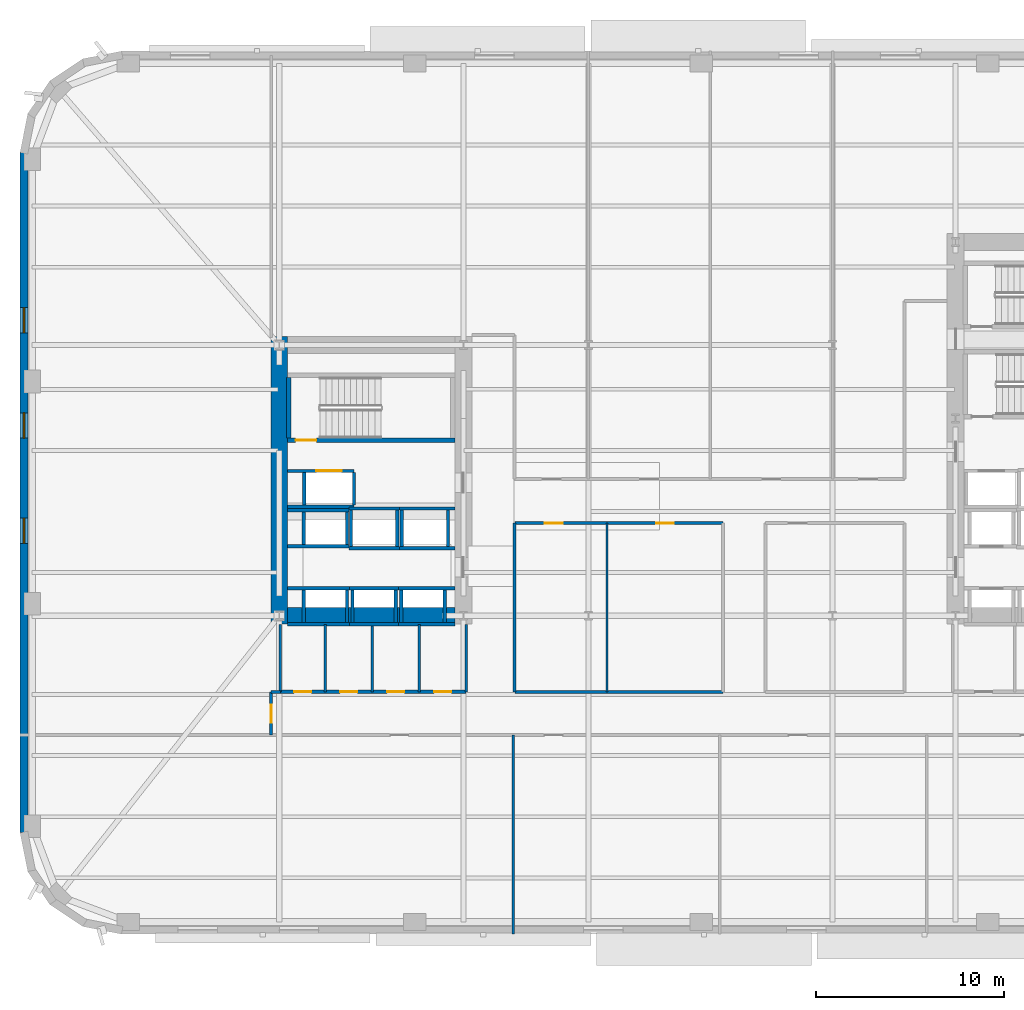
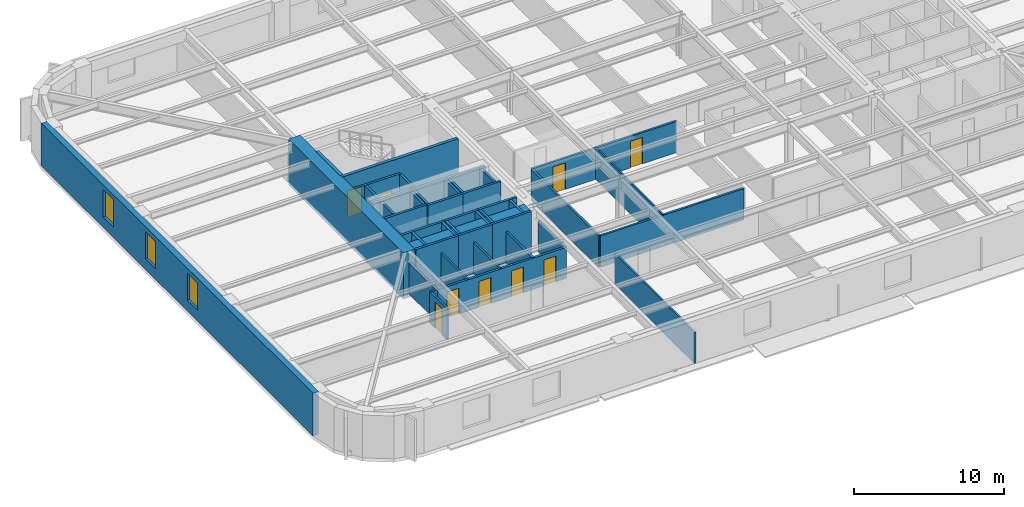
# One storey, part 4 of 15: 46 walls, 9 doors, 3 windows, 12 openings.
"""IFC4 building model written with IfcOpenShell, lengths in metres."""

from ifc_helpers import new_model, si_unit, direction, frame, frame_2d, origin, place, context, subcontext, project, spatial, rectangle, extrude, material, layer, layer_set, type_object, element, fill, save


model = new_model("IFC4")

# Units and contexts
model_context = context("Model", 3, precision=1e-05, world=origin(), true_north=direction((0.0, 1.0)))
body_context = subcontext(model_context, "Body", "Model", "MODEL_VIEW")
ifc_project = project(units=[si_unit("LENGTHUNIT", "METRE"), si_unit("AREAUNIT", "SQUARE_METRE"), si_unit("VOLUMEUNIT", "CUBIC_METRE"), si_unit("PLANEANGLEUNIT", "RADIAN"), si_unit("MASSUNIT", "GRAM", prefix="KILO")], contexts=[model_context])

# Site, building, storey
site_placement = place(None, origin())
site = spatial("IfcSite", under=ifc_project, at=site_placement, CompositionType="ELEMENT")
building_placement = place(site_placement, origin())
building = spatial("IfcBuilding", under=site, at=building_placement, Name="Kolvaren Arena Tower", CompositionType="ELEMENT")
storey_placement = place(building_placement, frame((0.0, 0.0, 83.25)))
storey = spatial("IfcBuildingStorey", under=building, at=storey_placement, Name="L18", CompositionType="ELEMENT", Elevation=83.25)

# Wall, openings, doors
ifc_material_1 = material(Name="Gypsum board acoustic assembly", Category="gypsum")
ifc_layer_1 = layer(ifc_material_1, 0.159912109375)
ifc_layer_set_1 = layer_set([ifc_layer_1], Name="Gypsum board acoustic assembly")
wall_type_1 = type_object("IfcWallType", Name="CORR-160", PredefinedType="PARTITIONING", material=ifc_layer_set_1)
wall_1_placement = place(storey_placement, frame((27.10009765625, 24.3798828125, 0.0), z_axis=(0.0, 0.0, 1.0), x_axis=(1.0, 0.0, 0.0)))
wall_1 = element("IfcWall", 1, at=wall_1_placement, inside=storey, type_object=wall_type_1, Name="Interior Partition Wall (L18)", PredefinedType="PARTITIONING", context=body_context, shape_type="SweptSolid", body=[
    extrude(rectangle(XDim=11.059814453125, YDim=0.159912109375, at=frame_2d((5.52978515625, 0.0))), origin(), (0.0, 0.0, 1.0), 2.5400390625),
])
opening_1_placement = place(wall_1_placement, frame((1.574951171875, 0.0, 0.0)))
opening_1 = element("IfcOpeningElement", 2, at=opening_1_placement, cuts=wall_1, Name="Opening D05", PredefinedType="OPENING", context=body_context, shape_type="SweptSolid", body=[
    extrude(rectangle(XDim=0.949951171875, YDim=2.14990234375, at=frame_2d((0.47509765625, 1.074951171875))), frame((0.0, 0.08984375, 0.0), z_axis=(0.0, -1.0, 0.0), x_axis=(1.0, 0.0, 0.0)), (0.0, 0.0, 1.0), 0.179931640625),
])
opening_2_placement = place(wall_1_placement, frame((7.5048828125, 0.0, 0.0)))
opening_2 = element("IfcOpeningElement", 3, at=opening_2_placement, cuts=wall_1, Name="Opening D05", PredefinedType="OPENING", context=body_context, shape_type="SweptSolid", body=[
    extrude(rectangle(XDim=0.949951171875, YDim=2.14990234375, at=frame_2d((0.47509765625, 1.074951171875))), frame((0.0, 0.08984375, 0.0), z_axis=(0.0, -1.0, 0.0), x_axis=(1.0, 0.0, 0.0)), (0.0, 0.0, 1.0), 0.179931640625),
])
ifc_material_2 = material(Name="Solid-core oak acoustic office door", Category="wood")
door_type_1 = type_object("IfcDoorType", Name="DOOR-OF-095", OperationType="NOTDEFINED", PredefinedType="DOOR", material=ifc_material_2)
door_1_placement = place(opening_1_placement, origin())
door_1 = element("IfcDoor", 4, at=door_1_placement, inside=storey, type_object=door_type_1, Name="Client Lounge Door (L18)", OperationType="SINGLE_SWING_RIGHT", OverallHeight=2.14990234375, OverallWidth=0.949951171875, PredefinedType="DOOR", context=body_context, shape_type="SweptSolid", body=[
    extrude(rectangle(XDim=0.949951171875, YDim=2.14990234375, at=frame_2d((0.47509765625, 1.074951171875))), frame((0.0, 0.02490234375, 0.0), z_axis=(0.0, -1.0, 0.0), x_axis=(1.0, 0.0, 0.0)), (0.0, 0.0, 1.0), 0.050048828125),
])
fill(opening_1, door_1)
door_2_placement = place(opening_2_placement, origin())
door_2 = element("IfcDoor", 5, at=door_2_placement, inside=storey, type_object=door_type_1, Name="Boardroom Door (L18)", OperationType="SINGLE_SWING_LEFT", OverallHeight=2.14990234375, OverallWidth=0.949951171875, PredefinedType="DOOR", context=body_context, shape_type="SweptSolid", body=[
    extrude(rectangle(XDim=0.949951171875, YDim=2.14990234375, at=frame_2d((0.47509765625, 1.074951171875))), frame((0.0, 0.02490234375, 0.0), z_axis=(0.0, -1.0, 0.0), x_axis=(1.0, 0.0, 0.0)), (0.0, 0.0, 1.0), 0.050048828125),
])
fill(opening_2, door_2)

# Walls
wall_2_placement = place(storey_placement, frame((27.10009765625, 15.3798828125, 0.0), z_axis=(0.0, 0.0, 1.0), x_axis=(1.0, 0.0, 0.0)))
element("IfcWall", 6, at=wall_2_placement, inside=storey, type_object=wall_type_1, Name="Interior Partition Wall (L18)", PredefinedType="PARTITIONING", context=body_context, shape_type="SweptSolid", body=[
    extrude(rectangle(XDim=11.059814453125, YDim=0.159912109375, at=frame_2d((5.52978515625, 0.0))), origin(), (0.0, 0.0, 1.0), 2.5400390625),
])
wall_3_placement = place(storey_placement, frame((27.080078125, 15.3798828125, 0.0), z_axis=(0.0, 0.0, 1.0), x_axis=(0.0, 1.0, 0.0)))
element("IfcWall", 7, at=wall_3_placement, inside=storey, type_object=wall_type_1, Name="Interior Partition Wall (L18)", PredefinedType="PARTITIONING", context=body_context, shape_type="SweptSolid", body=[
    extrude(rectangle(XDim=9.0, YDim=0.159912109375, at=frame_2d((4.5, 0.0))), origin(), (0.0, 0.0, 1.0), 2.5400390625),
])

# Wall, opening, door
wall_4_placement = place(storey_placement, frame((14.1201171875, 13.10009765625, 0.0), z_axis=(0.0, 0.0, 1.0), x_axis=(0.0, 1.0, 0.0)))
wall_4 = element("IfcWall", 8, at=wall_4_placement, inside=storey, type_object=wall_type_1, Name="Interior Partition Wall (L18)", PredefinedType="PARTITIONING", context=body_context, shape_type="SweptSolid", body=[
    extrude(rectangle(XDim=2.2998046875, YDim=0.159912109375, at=frame_2d((1.14990234375, 0.0))), origin(), (0.0, 0.0, 1.0), 2.5400390625),
])
opening_3_placement = place(wall_4_placement, frame((0.64990234375, 0.0, 0.0)))
opening_3 = element("IfcOpeningElement", 9, at=opening_3_placement, cuts=wall_4, Name="Opening D05", PredefinedType="OPENING", context=body_context, shape_type="SweptSolid", body=[
    extrude(rectangle(XDim=0.949951171875, YDim=2.14990234375, at=frame_2d((0.47509765625, 1.074951171875))), frame((0.0, 0.08984375, 0.0), z_axis=(0.0, -1.0, 0.0), x_axis=(1.0, 0.0, 0.0)), (0.0, 0.0, 1.0), 0.179931640625),
])
door_3_placement = place(opening_3_placement, origin())
door_3 = element("IfcDoor", 10, at=door_3_placement, inside=storey, type_object=door_type_1, Name="West Wing Office Door (L18)", OperationType="SINGLE_SWING_LEFT", OverallHeight=2.14990234375, OverallWidth=0.949951171875, PredefinedType="DOOR", context=body_context, shape_type="SweptSolid", body=[
    extrude(rectangle(XDim=0.949951171875, YDim=2.14990234375, at=frame_2d((0.47509765625, 1.074951171875))), frame((0.0, 0.02490234375, 0.0), z_axis=(0.0, -1.0, 0.0), x_axis=(1.0, 0.0, 0.0)), (0.0, 0.0, 1.0), 0.050048828125),
])
fill(opening_3, door_3)

# Walls
wall_5_placement = place(storey_placement, frame((14.1201171875, 15.39990234375, 0.0), z_axis=(0.0, 0.0, 1.0), x_axis=(1.0, 0.0, 0.0)))
element("IfcWall", 11, at=wall_5_placement, inside=storey, type_object=wall_type_1, Name="Interior Partition Wall (L18)", PredefinedType="PARTITIONING", context=body_context, shape_type="SweptSolid", body=[
    extrude(rectangle(XDim=0.5, YDim=0.159912109375, at=frame_2d((0.25, 0.0))), origin(), (0.0, 0.0, 1.0), 2.5400390625),
])
ifc_material_3 = material(Name="Concrete 80 MPa", Category="concrete")
ifc_layer_2 = layer(ifc_material_3, 0.89990234375)
ifc_layer_set_2 = layer_set([ifc_layer_2], Name="Concrete 80 MPa")
wall_type_2 = type_object("IfcWallType", Name="CWALL-900", PredefinedType="SHEAR", material=ifc_layer_set_2)
wall_6_placement = place(storey_placement, frame((14.550048828125, 19.0, -0.27001953125), z_axis=(0.0, 0.0, 1.0), x_axis=(0.0, 1.0, 0.0)))
element("IfcWall", 12, at=wall_6_placement, inside=storey, type_object=wall_type_2, Name="Core Shear Wall WC-WEST (L18)", PredefinedType="SHEAR", context=body_context, shape_type="SweptSolid", body=[
    extrude(rectangle(XDim=15.300048828125, YDim=0.89990234375, at=frame_2d((7.64990234375, 0.0))), origin(), (0.0, 0.0, 1.0), 3.75),
])
wall_7_placement = place(storey_placement, frame((15.0, 19.449951171875, -0.27001953125), z_axis=(0.0, 0.0, 1.0), x_axis=(1.0, 0.0, 0.0)))
element("IfcWall", 13, at=wall_7_placement, inside=storey, type_object=wall_type_2, Name="Core Shear Wall WC-SOUTH (L18)", PredefinedType="SHEAR", context=body_context, shape_type="SweptSolid", body=[
    extrude(rectangle(XDim=8.89990234375, YDim=0.89990234375, at=frame_2d((4.449951171875, 0.0))), origin(), (0.0, 0.0, 1.0), 3.75),
])

# Wall, openings, windows
ifc_material_4 = material(Name="Precast concrete C50/60", Category="concrete")
ifc_layer_3 = layer(ifc_material_4, 0.419921875)
ifc_layer_set_3 = layer_set([ifc_layer_3], Name="Precast concrete C50/60")
wall_type_3 = type_object("IfcWallType", Name="EXT-PIER1", PredefinedType="SOLIDWALL", material=ifc_layer_set_3)
wall_8_placement = place(storey_placement, frame((0.9599609375, 7.89990234375, 0.0), z_axis=(0.0, 0.0, 1.0), x_axis=(0.0, 1.0, 0.0)))
wall_8 = element("IfcWall", 14, at=wall_8_placement, inside=storey, type_object=wall_type_3, Name="Exterior Precast Masonry-Frame Wall (L18)", PredefinedType="SOLIDWALL", context=body_context, shape_type="SweptSolid", body=[
    extrude(rectangle(XDim=36.2001953125, YDim=0.419921875, at=frame_2d((18.10009765625, 0.0))), origin(), (0.0, 0.0, 1.0), 3.47998046875),
])
opening_4_placement = place(wall_8_placement, frame((15.39990234375, 0.0, 0.8798828125)))
opening_4 = element("IfcOpeningElement", 15, at=opening_4_placement, cuts=wall_8, Name="Opening W04", PredefinedType="OPENING", context=body_context, shape_type="SweptSolid", body=[
    extrude(rectangle(XDim=1.35009765625, YDim=2.199951171875, at=frame_2d((0.675048828125, 1.10009765625))), frame((0.0, 0.219970703125, 0.0), z_axis=(0.0, -1.0, 0.0), x_axis=(1.0, 0.0, 0.0)), (0.0, 0.0, 1.0), 0.43994140625),
])
opening_5_placement = place(wall_8_placement, frame((21.0, 0.0, 0.8798828125)))
opening_5 = element("IfcOpeningElement", 16, at=opening_5_placement, cuts=wall_8, Name="Opening W04", PredefinedType="OPENING", context=body_context, shape_type="SweptSolid", body=[
    extrude(rectangle(XDim=1.35009765625, YDim=2.199951171875, at=frame_2d((0.675048828125, 1.10009765625))), frame((0.0, 0.219970703125, 0.0), z_axis=(0.0, -1.0, 0.0), x_axis=(1.0, 0.0, 0.0)), (0.0, 0.0, 1.0), 0.43994140625),
])
opening_6_placement = place(wall_8_placement, frame((26.60009765625, 0.0, 0.8798828125)))
opening_6 = element("IfcOpeningElement", 17, at=opening_6_placement, cuts=wall_8, Name="Opening W04", PredefinedType="OPENING", context=body_context, shape_type="SweptSolid", body=[
    extrude(rectangle(XDim=1.35009765625, YDim=2.199951171875, at=frame_2d((0.675048828125, 1.10009765625))), frame((0.0, 0.219970703125, 0.0), z_axis=(0.0, -1.0, 0.0), x_axis=(1.0, 0.0, 0.0)), (0.0, 0.0, 1.0), 0.43994140625),
])
ifc_material_5 = material(Name="Triple-glazed curved-facet corner window", Category="glass")
window_type = type_object("IfcWindowType", Name="WIN-CRN-A", PartitioningType="SINGLE_PANEL", PredefinedType="WINDOW", material=ifc_material_5)
window_1_placement = place(opening_4_placement, origin())
window_1 = element("IfcWindow", 18, at=window_1_placement, inside=storey, type_object=window_type, Name="End-Wall Punched Window (L18)", OverallHeight=2.199951171875, OverallWidth=1.35009765625, PartitioningType="SINGLE_PANEL", PredefinedType="WINDOW", context=body_context, shape_type="SweptSolid", body=[
    extrude(rectangle(XDim=1.35009765625, YDim=2.199951171875, at=frame_2d((0.675048828125, 1.10009765625))), frame((0.0, 0.030029296875, 0.0), z_axis=(0.0, -1.0, 0.0), x_axis=(1.0, 0.0, 0.0)), (0.0, 0.0, 1.0), 0.06005859375),
])
fill(opening_4, window_1)
window_2_placement = place(opening_5_placement, origin())
window_2 = element("IfcWindow", 19, at=window_2_placement, inside=storey, type_object=window_type, Name="End-Wall Punched Window (L18)", OverallHeight=2.199951171875, OverallWidth=1.35009765625, PartitioningType="SINGLE_PANEL", PredefinedType="WINDOW", context=body_context, shape_type="SweptSolid", body=[
    extrude(rectangle(XDim=1.35009765625, YDim=2.199951171875, at=frame_2d((0.675048828125, 1.10009765625))), frame((0.0, 0.030029296875, 0.0), z_axis=(0.0, -1.0, 0.0), x_axis=(1.0, 0.0, 0.0)), (0.0, 0.0, 1.0), 0.06005859375),
])
fill(opening_5, window_2)
window_3_placement = place(opening_6_placement, origin())
window_3 = element("IfcWindow", 20, at=window_3_placement, inside=storey, type_object=window_type, Name="End-Wall Punched Window (L18)", OverallHeight=2.199951171875, OverallWidth=1.35009765625, PartitioningType="SINGLE_PANEL", PredefinedType="WINDOW", context=body_context, shape_type="SweptSolid", body=[
    extrude(rectangle(XDim=1.35009765625, YDim=2.199951171875, at=frame_2d((0.675048828125, 1.10009765625))), frame((0.0, 0.030029296875, 0.0), z_axis=(0.0, -1.0, 0.0), x_axis=(1.0, 0.0, 0.0)), (0.0, 0.0, 1.0), 0.06005859375),
])
fill(opening_6, window_3)

# Walls
ifc_material_6 = material(Name="Gypsum board partition assembly", Category="gypsum")
ifc_layer_4 = layer(ifc_material_6, 0.114990234375)
ifc_layer_set_4 = layer_set([ifc_layer_4], Name="Gypsum board partition assembly")
wall_type_4 = type_object("IfcWallType", Name="PART-115", PredefinedType="PARTITIONING", material=ifc_layer_set_4)
wall_9_placement = place(storey_placement, frame((32.0, 15.3798828125, 0.0), z_axis=(0.0, 0.0, 1.0), x_axis=(0.0, 1.0, 0.0)))
element("IfcWall", 21, at=wall_9_placement, inside=storey, type_object=wall_type_4, Name="Interior Partition Wall (L18)", PredefinedType="PARTITIONING", context=body_context, shape_type="SweptSolid", body=[
    extrude(rectangle(XDim=9.0, YDim=0.114990234375, at=frame_2d((4.5, 0.0))), origin(), (0.0, 0.0, 1.0), 2.5400390625),
])
ifc_layer_5 = layer(ifc_material_6, 0.135009765625)
ifc_layer_set_5 = layer_set([ifc_layer_5], Name="Gypsum board partition assembly")
wall_type_5 = type_object("IfcWallType", Name="PART-135", PredefinedType="PARTITIONING", material=ifc_layer_set_5)
wall_10_placement = place(storey_placement, frame((27.0, 2.5, 0.0), z_axis=(0.0, 0.0, 1.0), x_axis=(0.0, 1.0, 0.0)))
element("IfcWall", 22, at=wall_10_placement, inside=storey, type_object=wall_type_5, Name="Interior Partition Wall (L18)", PredefinedType="PARTITIONING", context=body_context, shape_type="SweptSolid", body=[
    extrude(rectangle(XDim=10.60009765625, YDim=0.135009765625, at=frame_2d((5.300048828125, 0.0))), origin(), (0.0, 0.0, 1.0), 2.5400390625),
])

# Wall, opening, door
ifc_material_7 = material(Name="Concrete 45 MPa", Category="concrete")
ifc_layer_6 = layer(ifc_material_7, 0.25)
ifc_layer_set_6 = layer_set([ifc_layer_6], Name="Concrete 45 MPa")
wall_type_6 = type_object("IfcWallType", Name="SHAFT-250", PredefinedType="SOLIDWALL", material=ifc_layer_set_6)
wall_11_placement = place(storey_placement, frame((23.89990234375, 28.780029296875, 0.0), z_axis=(0.0, 0.0, 1.0), x_axis=(-1.0, 0.0, 0.0)))
wall_11 = element("IfcWall", 23, at=wall_11_placement, inside=storey, type_object=wall_type_6, Name="Core Shaft Wall (L18)", PredefinedType="SOLIDWALL", context=body_context, shape_type="SweptSolid", body=[
    extrude(rectangle(XDim=8.89990234375, YDim=0.239990234375, at=frame_2d((4.449951171875, 0.0))), origin(), (0.0, 0.0, 1.0), 3.47998046875),
])
opening_7_placement = place(wall_11_placement, frame((7.3798828125, 0.0, 0.0)))
opening_7 = element("IfcOpeningElement", 24, at=opening_7_placement, cuts=wall_11, Name="Opening D03", PredefinedType="OPENING", context=body_context, shape_type="SweptSolid", body=[
    extrude(rectangle(XDim=1.10009765625, YDim=2.14990234375, at=frame_2d((0.550048828125, 1.074951171875))), frame((0.0, 0.1298828125, 0.0), z_axis=(0.0, -1.0, 0.0), x_axis=(1.0, 0.0, 0.0)), (0.0, 0.0, 1.0), 0.260009765625),
])
ifc_material_8 = material(Name="Fire-rated steel exit stair door", Category="steel")
door_type_2 = type_object("IfcDoorType", Name="DOOR-ST-110", OperationType="NOTDEFINED", PredefinedType="DOOR", material=ifc_material_8)
door_4_placement = place(opening_7_placement, origin())
door_4 = element("IfcDoor", 25, at=door_4_placement, inside=storey, type_object=door_type_2, Name="Stair ST-W1 Fire Door (L18)", OperationType="SINGLE_SWING_RIGHT", OverallHeight=2.14990234375, OverallWidth=1.10009765625, PredefinedType="DOOR", context=body_context, shape_type="SweptSolid", body=[
    extrude(rectangle(XDim=1.10009765625, YDim=2.14990234375, at=frame_2d((0.550048828125, 1.074951171875))), frame((0.0, 0.02490234375, 0.0), z_axis=(0.0, -1.0, 0.0), x_axis=(1.0, 0.0, 0.0)), (0.0, 0.0, 1.0), 0.050048828125),
])
fill(opening_7, door_4)

# Walls
wall_12_placement = place(storey_placement, frame((15.06005859375, 28.89990234375, 0.0), z_axis=(0.0, 0.0, 1.0), x_axis=(0.0, 1.0, 0.0)))
element("IfcWall", 26, at=wall_12_placement, inside=storey, type_object=wall_type_6, Name="Core Shaft Wall (L18)", PredefinedType="SOLIDWALL", context=body_context, shape_type="SweptSolid", body=[
    extrude(rectangle(XDim=3.22998046875, YDim=0.239990234375, at=frame_2d((1.614990234375, 0.0))), origin(), (0.0, 0.0, 1.0), 3.47998046875),
])
for number, where, z_axis, x_axis, name in (
    (27, (15.0, 20.905029296875, 0.0), (0.0, 0.0, 1.0), (1.0, 0.0, 0.0), "Core Shaft Wall (L18)"),
    (28, (15.0, 18.9951171875, 0.0), (0.0, 0.0, 1.0), (1.0, 0.0, 0.0), "Core Shaft Wall (L18)"),
):
    element("IfcWall", number, at=place(storey_placement, frame(where, z_axis=z_axis, x_axis=x_axis)), inside=storey, type_object=wall_type_6, Name=name, PredefinedType="SOLIDWALL", context=body_context, shape_type="SweptSolid", body=[
        extrude(rectangle(XDim=3.300048828125, YDim=0.179931640625, at=frame_2d((1.64990234375, 0.0))), origin(), (0.0, 0.0, 1.0), 3.47998046875),
    ])
for number, where, z_axis, x_axis, name in (
    (29, (15.844970703125, 19.0849609375, 0.0), (0.0, 0.0, 1.0), (0.0, 1.0, 0.0), "Core Shaft Wall (L18)"),
    (30, (18.155029296875, 19.0849609375, 0.0), (0.0, 0.0, 1.0), (0.0, 1.0, 0.0), "Core Shaft Wall (L18)"),
):
    element("IfcWall", number, at=place(storey_placement, frame(where, z_axis=z_axis, x_axis=x_axis)), inside=storey, type_object=wall_type_6, Name=name, PredefinedType="SOLIDWALL", context=body_context, shape_type="SweptSolid", body=[
        extrude(rectangle(XDim=1.72998046875, YDim=0.179931640625, at=frame_2d((0.864990234375, 0.0))), origin(), (0.0, 0.0, 1.0), 3.47998046875),
    ])
for number, where, z_axis, x_axis, name in (
    (31, (18.300048828125, 20.905029296875, 0.0), (0.0, 0.0, 1.0), (1.0, 0.0, 0.0), "Core Shaft Wall (L18)"),
    (32, (18.300048828125, 18.9951171875, 0.0), (0.0, 0.0, 1.0), (1.0, 0.0, 0.0), "Core Shaft Wall (L18)"),
):
    element("IfcWall", number, at=place(storey_placement, frame(where, z_axis=z_axis, x_axis=x_axis)), inside=storey, type_object=wall_type_6, Name=name, PredefinedType="SOLIDWALL", context=body_context, shape_type="SweptSolid", body=[
        extrude(rectangle(XDim=2.599853515625, YDim=0.179931640625, at=frame_2d((1.2998046875, 0.0))), origin(), (0.0, 0.0, 1.0), 3.47998046875),
    ])
for number, where, z_axis, x_axis, name in (
    (33, (18.445068359375, 19.0849609375, 0.0), (0.0, 0.0, 1.0), (0.0, 1.0, 0.0), "Core Shaft Wall (L18)"),
    (34, (20.7548828125, 19.0849609375, 0.0), (0.0, 0.0, 1.0), (0.0, 1.0, 0.0), "Core Shaft Wall (L18)"),
):
    element("IfcWall", number, at=place(storey_placement, frame(where, z_axis=z_axis, x_axis=x_axis)), inside=storey, type_object=wall_type_6, Name=name, PredefinedType="SOLIDWALL", context=body_context, shape_type="SweptSolid", body=[
        extrude(rectangle(XDim=1.72998046875, YDim=0.179931640625, at=frame_2d((0.864990234375, 0.0))), origin(), (0.0, 0.0, 1.0), 3.47998046875),
    ])
for number, where, z_axis, x_axis, name in (
    (35, (20.89990234375, 20.905029296875, 0.0), (0.0, 0.0, 1.0), (1.0, 0.0, 0.0), "Core Shaft Wall (L18)"),
    (36, (20.89990234375, 18.9951171875, 0.0), (0.0, 0.0, 1.0), (1.0, 0.0, 0.0), "Core Shaft Wall (L18)"),
):
    element("IfcWall", number, at=place(storey_placement, frame(where, z_axis=z_axis, x_axis=x_axis)), inside=storey, type_object=wall_type_6, Name=name, PredefinedType="SOLIDWALL", context=body_context, shape_type="SweptSolid", body=[
        extrude(rectangle(XDim=3.0, YDim=0.179931640625, at=frame_2d((1.5, 0.0))), origin(), (0.0, 0.0, 1.0), 3.47998046875),
    ])
for number, where, z_axis, x_axis, name in (
    (37, (21.044921875, 19.0849609375, 0.0), (0.0, 0.0, 1.0), (0.0, 1.0, 0.0), "Core Shaft Wall (L18)"),
    (38, (23.35498046875, 19.0849609375, 0.0), (0.0, 0.0, 1.0), (0.0, 1.0, 0.0), "Core Shaft Wall (L18)"),
):
    element("IfcWall", number, at=place(storey_placement, frame(where, z_axis=z_axis, x_axis=x_axis)), inside=storey, type_object=wall_type_6, Name=name, PredefinedType="SOLIDWALL", context=body_context, shape_type="SweptSolid", body=[
        extrude(rectangle(XDim=1.72998046875, YDim=0.179931640625, at=frame_2d((0.864990234375, 0.0))), origin(), (0.0, 0.0, 1.0), 3.47998046875),
    ])
for number, where, z_axis, x_axis, name in (
    (39, (15.0, 25.054931640625, 0.0), (0.0, 0.0, 1.0), (1.0, 0.0, 0.0), "Core Shaft Wall (L18)"),
    (40, (15.0, 23.14501953125, 0.0), (0.0, 0.0, 1.0), (1.0, 0.0, 0.0), "Core Shaft Wall (L18)"),
):
    element("IfcWall", number, at=place(storey_placement, frame(where, z_axis=z_axis, x_axis=x_axis)), inside=storey, type_object=wall_type_6, Name=name, PredefinedType="SOLIDWALL", context=body_context, shape_type="SweptSolid", body=[
        extrude(rectangle(XDim=3.262451171875, YDim=0.179931640625, at=frame_2d((1.63134765625, 0.0))), origin(), (0.0, 0.0, 1.0), 3.47998046875),
    ])
for number, where, z_axis, x_axis, name in (
    (41, (15.844970703125, 23.235107421875, 0.0), (0.0, 0.0, 1.0), (0.0, 1.0, 0.0), "Core Shaft Wall (L18)"),
    (42, (18.155029296875, 23.235107421875, 0.0), (0.0, 0.0, 1.0), (0.0, 1.0, 0.0), "Core Shaft Wall (L18)"),
):
    element("IfcWall", number, at=place(storey_placement, frame(where, z_axis=z_axis, x_axis=x_axis)), inside=storey, type_object=wall_type_6, Name=name, PredefinedType="SOLIDWALL", context=body_context, shape_type="SweptSolid", body=[
        extrude(rectangle(XDim=1.72998046875, YDim=0.179931640625, at=frame_2d((0.864990234375, 0.0))), origin(), (0.0, 0.0, 1.0), 3.47998046875),
    ])
for number, where, z_axis, x_axis, name in (
    (43, (18.262451171875, 25.155029296875, 0.0), (0.0, 0.0, 1.0), (1.0, 0.0, 0.0), "Core Shaft Wall (L18)"),
    (44, (18.262451171875, 23.044921875, 0.0), (0.0, 0.0, 1.0), (1.0, 0.0, 0.0), "Core Shaft Wall (L18)"),
):
    element("IfcWall", number, at=place(storey_placement, frame(where, z_axis=z_axis, x_axis=x_axis)), inside=storey, type_object=wall_type_6, Name=name, PredefinedType="SOLIDWALL", context=body_context, shape_type="SweptSolid", body=[
        extrude(rectangle(XDim=2.6875, YDim=0.179931640625, at=frame_2d((1.34375, 0.0))), origin(), (0.0, 0.0, 1.0), 3.47998046875),
    ])
for number, where, z_axis, x_axis, name in (
    (45, (18.3701171875, 23.135009765625, 0.0), (0.0, 0.0, 1.0), (0.0, 1.0, 0.0), "Core Shaft Wall (L18)"),
    (46, (20.830078125, 23.135009765625, 0.0), (0.0, 0.0, 1.0), (0.0, 1.0, 0.0), "Core Shaft Wall (L18)"),
):
    element("IfcWall", number, at=place(storey_placement, frame(where, z_axis=z_axis, x_axis=x_axis)), inside=storey, type_object=wall_type_6, Name=name, PredefinedType="SOLIDWALL", context=body_context, shape_type="SweptSolid", body=[
        extrude(rectangle(XDim=1.929931640625, YDim=0.179931640625, at=frame_2d((0.96484375, 0.0))), origin(), (0.0, 0.0, 1.0), 3.47998046875),
    ])
for number, where, z_axis, x_axis, name in (
    (47, (20.949951171875, 25.155029296875, 0.0), (0.0, 0.0, 1.0), (1.0, 0.0, 0.0), "Core Shaft Wall (L18)"),
    (48, (20.949951171875, 23.044921875, 0.0), (0.0, 0.0, 1.0), (1.0, 0.0, 0.0), "Core Shaft Wall (L18)"),
):
    element("IfcWall", number, at=place(storey_placement, frame(where, z_axis=z_axis, x_axis=x_axis)), inside=storey, type_object=wall_type_6, Name=name, PredefinedType="SOLIDWALL", context=body_context, shape_type="SweptSolid", body=[
        extrude(rectangle(XDim=2.949951171875, YDim=0.179931640625, at=frame_2d((1.47509765625, 0.0))), origin(), (0.0, 0.0, 1.0), 3.47998046875),
    ])
for number, where, z_axis, x_axis, name in (
    (49, (21.070068359375, 23.135009765625, 0.0), (0.0, 0.0, 1.0), (0.0, 1.0, 0.0), "Core Shaft Wall (L18)"),
    (50, (23.530029296875, 23.135009765625, 0.0), (0.0, 0.0, 1.0), (0.0, 1.0, 0.0), "Core Shaft Wall (L18)"),
):
    element("IfcWall", number, at=place(storey_placement, frame(where, z_axis=z_axis, x_axis=x_axis)), inside=storey, type_object=wall_type_6, Name=name, PredefinedType="SOLIDWALL", context=body_context, shape_type="SweptSolid", body=[
        extrude(rectangle(XDim=1.929931640625, YDim=0.179931640625, at=frame_2d((0.96484375, 0.0))), origin(), (0.0, 0.0, 1.0), 3.47998046875),
    ])

# Wall, opening, door
wall_13_placement = place(storey_placement, frame((15.0, 27.155029296875, 0.0), z_axis=(0.0, 0.0, 1.0), x_axis=(1.0, 0.0, 0.0)))
wall_13 = element("IfcWall", 51, at=wall_13_placement, inside=storey, type_object=wall_type_6, Name="Core Shaft Wall (L18)", PredefinedType="SOLIDWALL", context=body_context, shape_type="SweptSolid", body=[
    extrude(rectangle(XDim=3.530029296875, YDim=0.179931640625, at=frame_2d((1.76513671875, 0.0))), origin(), (0.0, 0.0, 1.0), 3.47998046875),
])
opening_8_placement = place(wall_13_placement, frame((1.52490234375, 0.0, 0.0)))
opening_8 = element("IfcOpeningElement", 52, at=opening_8_placement, cuts=wall_13, Name="Opening LD2", PredefinedType="OPENING", context=body_context, shape_type="SweptSolid", body=[
    extrude(rectangle(XDim=1.35009765625, YDim=2.300048828125, at=frame_2d((0.675048828125, 1.14990234375))), frame((0.0, 0.099853515625, 0.0), z_axis=(0.0, -1.0, 0.0), x_axis=(1.0, 0.0, 0.0)), (0.0, 0.0, 1.0), 0.199951171875),
])
ifc_material_9 = material(Name="Stainless steel firefighter lift landing door", Category="steel")
door_type_3 = type_object("IfcDoorType", Name="DOOR-LD-135", OperationType="DOUBLE_DOOR_SLIDING", PredefinedType="DOOR", material=ifc_material_9)
door_5_placement = place(opening_8_placement, origin())
door_5 = element("IfcDoor", 53, at=door_5_placement, inside=storey, type_object=door_type_3, Name="Firefighter Lift FF-W1 Landing Door (L18)", OperationType="DOUBLE_DOOR_SLIDING", OverallHeight=2.300048828125, OverallWidth=1.35009765625, PredefinedType="DOOR", context=body_context, shape_type="SweptSolid", body=[
    extrude(rectangle(XDim=1.35009765625, YDim=2.300048828125, at=frame_2d((0.675048828125, 1.14990234375))), frame((0.0, 0.02490234375, 0.0), z_axis=(0.0, -1.0, 0.0), x_axis=(1.0, 0.0, 0.0)), (0.0, 0.0, 1.0), 0.050048828125),
])
fill(opening_8, door_5)

# Walls
wall_14_placement = place(storey_placement, frame((15.0, 25.2451171875, 0.0), z_axis=(0.0, 0.0, 1.0), x_axis=(1.0, 0.0, 0.0)))
element("IfcWall", 54, at=wall_14_placement, inside=storey, type_object=wall_type_6, Name="Core Shaft Wall (L18)", PredefinedType="SOLIDWALL", context=body_context, shape_type="SweptSolid", body=[
    extrude(rectangle(XDim=3.530029296875, YDim=0.179931640625, at=frame_2d((1.76513671875, 0.0))), origin(), (0.0, 0.0, 1.0), 3.47998046875),
])
for number, where, z_axis, x_axis, name in (
    (55, (15.8701171875, 25.3349609375, 0.0), (0.0, 0.0, 1.0), (0.0, 1.0, 0.0), "Core Shaft Wall (L18)"),
    (56, (18.530029296875, 25.3349609375, 0.0), (0.0, 0.0, 1.0), (0.0, 1.0, 0.0), "Core Shaft Wall (L18)"),
):
    element("IfcWall", number, at=place(storey_placement, frame(where, z_axis=z_axis, x_axis=x_axis)), inside=storey, type_object=wall_type_6, Name=name, PredefinedType="SOLIDWALL", context=body_context, shape_type="SweptSolid", body=[
        extrude(rectangle(XDim=1.72998046875, YDim=0.179931640625, at=frame_2d((0.864990234375, 0.0))), origin(), (0.0, 0.0, 1.0), 3.47998046875),
    ])
ifc_material_10 = material(Name="Moisture-resistant gypsum assembly", Category="gypsum")
ifc_layer_7 = layer(ifc_material_10, 0.14990234375)
ifc_layer_set_7 = layer_set([ifc_layer_7], Name="Moisture-resistant gypsum assembly")
wall_type_7 = type_object("IfcWallType", Name="WETW-150", PredefinedType="PARTITIONING", material=ifc_layer_set_7)
for number, where, z_axis, x_axis, name in (
    (57, (17.0, 15.39990234375, 0.0), (0.0, 0.0, 1.0), (0.0, 1.0, 0.0), "Interior Partition Wall (L18)"),
    (58, (19.5, 15.39990234375, 0.0), (0.0, 0.0, 1.0), (0.0, 1.0, 0.0), "Interior Partition Wall (L18)"),
    (59, (22.0, 15.39990234375, 0.0), (0.0, 0.0, 1.0), (0.0, 1.0, 0.0), "Interior Partition Wall (L18)"),
):
    element("IfcWall", number, at=place(storey_placement, frame(where, z_axis=z_axis, x_axis=x_axis)), inside=storey, type_object=wall_type_7, Name=name, PredefinedType="PARTITIONING", context=body_context, shape_type="SweptSolid", body=[
        extrude(rectangle(XDim=3.580078125, YDim=0.14990234375, at=frame_2d((1.7900390625, 0.0))), origin(), (0.0, 0.0, 1.0), 2.5400390625),
    ])

# Wall, openings, doors
wall_15_placement = place(storey_placement, frame((14.60009765625, 15.39990234375, 0.0), z_axis=(0.0, 0.0, 1.0), x_axis=(1.0, 0.0, 0.0)))
wall_15 = element("IfcWall", 60, at=wall_15_placement, inside=storey, type_object=wall_type_7, Name="Interior Partition Wall (L18)", PredefinedType="PARTITIONING", context=body_context, shape_type="SweptSolid", body=[
    extrude(rectangle(XDim=9.89990234375, YDim=0.179931640625, at=frame_2d((4.949951171875, 0.0))), origin(), (0.0, 0.0, 1.0), 2.5400390625),
])
opening_9_placement = place(wall_15_placement, frame((0.739990234375, 0.0, 0.0)))
opening_9 = element("IfcOpeningElement", 61, at=opening_9_placement, cuts=wall_15, Name="Opening D07", PredefinedType="OPENING", context=body_context, shape_type="SweptSolid", body=[
    extrude(rectangle(XDim=0.919921875, YDim=2.10009765625, at=frame_2d((0.4599609375, 1.050048828125))), frame((0.0, 0.099853515625, 0.0), z_axis=(0.0, -1.0, 0.0), x_axis=(1.0, 0.0, 0.0)), (0.0, 0.0, 1.0), 0.199951171875),
])
opening_10_placement = place(wall_15_placement, frame((3.18994140625, 0.0, 0.0)))
opening_10 = element("IfcOpeningElement", 62, at=opening_10_placement, cuts=wall_15, Name="Opening D07", PredefinedType="OPENING", context=body_context, shape_type="SweptSolid", body=[
    extrude(rectangle(XDim=0.919921875, YDim=2.10009765625, at=frame_2d((0.4599609375, 1.050048828125))), frame((0.0, 0.099853515625, 0.0), z_axis=(0.0, -1.0, 0.0), x_axis=(1.0, 0.0, 0.0)), (0.0, 0.0, 1.0), 0.199951171875),
])
opening_11_placement = place(wall_15_placement, frame((5.68994140625, 0.0, 0.0)))
opening_11 = element("IfcOpeningElement", 63, at=opening_11_placement, cuts=wall_15, Name="Opening D07", PredefinedType="OPENING", context=body_context, shape_type="SweptSolid", body=[
    extrude(rectangle(XDim=0.919921875, YDim=2.10009765625, at=frame_2d((0.4599609375, 1.050048828125))), frame((0.0, 0.099853515625, 0.0), z_axis=(0.0, -1.0, 0.0), x_axis=(1.0, 0.0, 0.0)), (0.0, 0.0, 1.0), 0.199951171875),
])
opening_12_placement = place(wall_15_placement, frame((8.18994140625, 0.0, 0.0)))
opening_12 = element("IfcOpeningElement", 64, at=opening_12_placement, cuts=wall_15, Name="Opening D07", PredefinedType="OPENING", context=body_context, shape_type="SweptSolid", body=[
    extrude(rectangle(XDim=0.919921875, YDim=2.10009765625, at=frame_2d((0.4599609375, 1.050048828125))), frame((0.0, 0.099853515625, 0.0), z_axis=(0.0, -1.0, 0.0), x_axis=(1.0, 0.0, 0.0)), (0.0, 0.0, 1.0), 0.199951171875),
])
ifc_material_11 = material(Name="Laminate universal washroom door", Category="wood")
door_type_4 = type_object("IfcDoorType", Name="DOOR-WC-092", OperationType="NOTDEFINED", PredefinedType="DOOR", material=ifc_material_11)
door_6_placement = place(opening_9_placement, origin())
door_6 = element("IfcDoor", 65, at=door_6_placement, inside=storey, type_object=door_type_4, Name="Cleaner and Janitor Store Door (L18)", OperationType="SINGLE_SWING_RIGHT", OverallHeight=2.10009765625, OverallWidth=0.919921875, PredefinedType="DOOR", context=body_context, shape_type="SweptSolid", body=[
    extrude(rectangle(XDim=0.919921875, YDim=2.10009765625, at=frame_2d((0.4599609375, 1.050048828125))), frame((0.0, 0.02490234375, 0.0), z_axis=(0.0, -1.0, 0.0), x_axis=(1.0, 0.0, 0.0)), (0.0, 0.0, 1.0), 0.050048828125),
])
fill(opening_9, door_6)
door_7_placement = place(opening_10_placement, origin())
door_7 = element("IfcDoor", 66, at=door_7_placement, inside=storey, type_object=door_type_4, Name="Universal Barrier-Free Washroom Door (L18)", OperationType="SINGLE_SWING_LEFT", OverallHeight=2.10009765625, OverallWidth=0.919921875, PredefinedType="DOOR", context=body_context, shape_type="SweptSolid", body=[
    extrude(rectangle(XDim=0.919921875, YDim=2.10009765625, at=frame_2d((0.4599609375, 1.050048828125))), frame((0.0, 0.02490234375, 0.0), z_axis=(0.0, -1.0, 0.0), x_axis=(1.0, 0.0, 0.0)), (0.0, 0.0, 1.0), 0.050048828125),
])
fill(opening_10, door_7)
door_8_placement = place(opening_11_placement, origin())
door_8 = element("IfcDoor", 67, at=door_8_placement, inside=storey, type_object=door_type_4, Name="Women Restroom Door (L18)", OperationType="SINGLE_SWING_RIGHT", OverallHeight=2.10009765625, OverallWidth=0.919921875, PredefinedType="DOOR", context=body_context, shape_type="SweptSolid", body=[
    extrude(rectangle(XDim=0.919921875, YDim=2.10009765625, at=frame_2d((0.4599609375, 1.050048828125))), frame((0.0, 0.02490234375, 0.0), z_axis=(0.0, -1.0, 0.0), x_axis=(1.0, 0.0, 0.0)), (0.0, 0.0, 1.0), 0.050048828125),
])
fill(opening_11, door_8)
door_9_placement = place(opening_12_placement, origin())
door_9 = element("IfcDoor", 68, at=door_9_placement, inside=storey, type_object=door_type_4, Name="Men Restroom Door (L18)", OperationType="SINGLE_SWING_LEFT", OverallHeight=2.10009765625, OverallWidth=0.919921875, PredefinedType="DOOR", context=body_context, shape_type="SweptSolid", body=[
    extrude(rectangle(XDim=0.919921875, YDim=2.10009765625, at=frame_2d((0.4599609375, 1.050048828125))), frame((0.0, 0.02490234375, 0.0), z_axis=(0.0, -1.0, 0.0), x_axis=(1.0, 0.0, 0.0)), (0.0, 0.0, 1.0), 0.050048828125),
])
fill(opening_12, door_9)

# Walls
for number, where, z_axis, x_axis, name in (
    (69, (14.60009765625, 15.39990234375, 0.0), (0.0, 0.0, 1.0), (0.0, 1.0, 0.0), "Interior Partition Wall (L18)"),
    (70, (24.5, 15.39990234375, 0.0), (0.0, 0.0, 1.0), (0.0, 1.0, 0.0), "Interior Partition Wall (L18)"),
):
    element("IfcWall", number, at=place(storey_placement, frame(where, z_axis=z_axis, x_axis=x_axis)), inside=storey, type_object=wall_type_7, Name=name, PredefinedType="PARTITIONING", context=body_context, shape_type="SweptSolid", body=[
        extrude(rectangle(XDim=3.580078125, YDim=0.14990234375, at=frame_2d((1.7900390625, 0.0))), origin(), (0.0, 0.0, 1.0), 2.5400390625),
    ])

save(model, "model.ifc")
